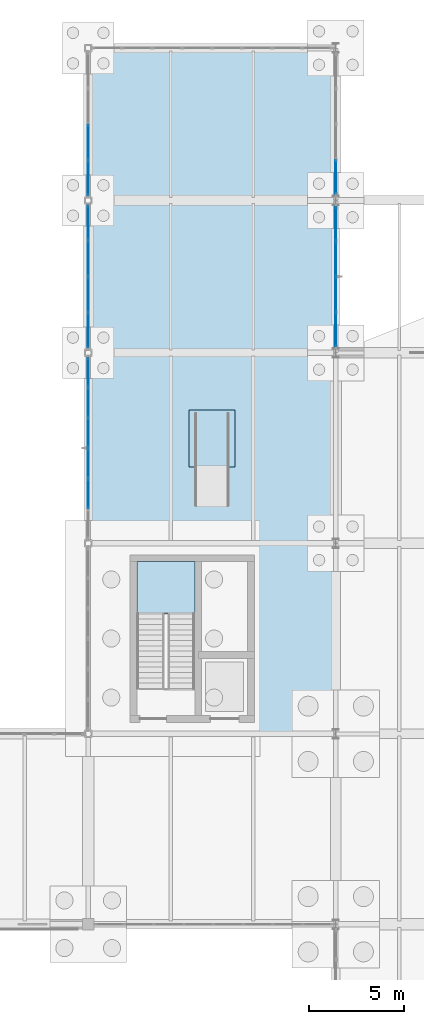
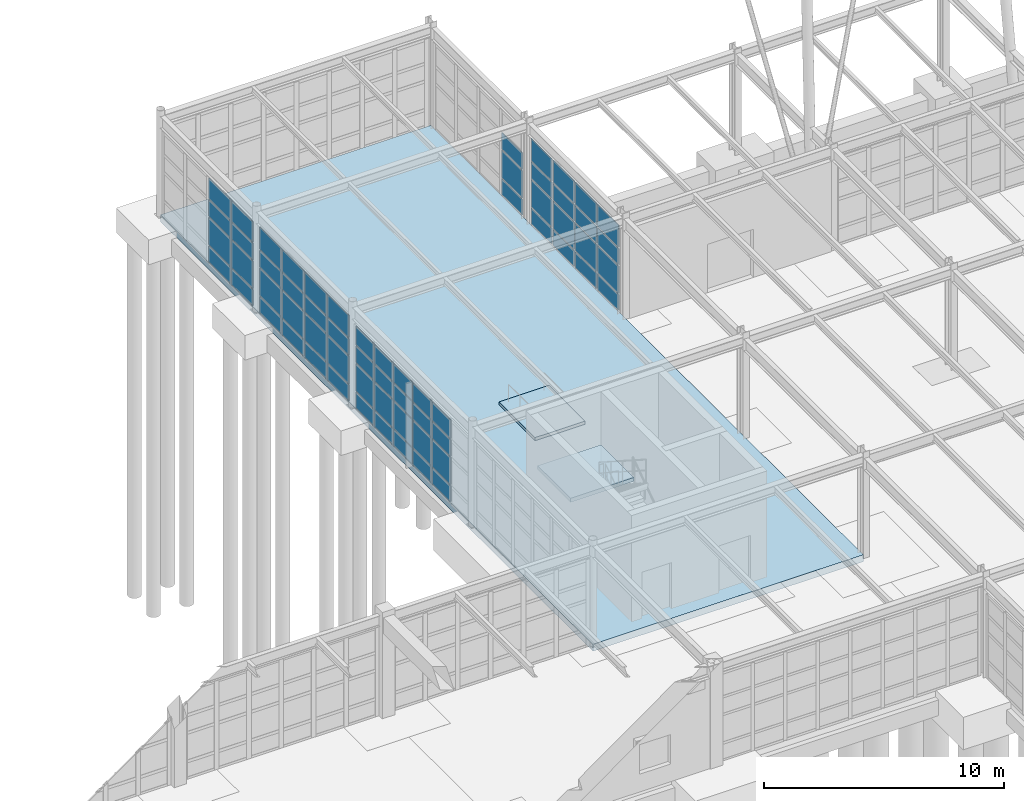
# One storey, part 89 of 145: 63 plates, 3 slabs, 6 elements without a shape of their own.
"""IFC4 building model written with IfcOpenShell, lengths in metres."""

from ifc_helpers import new_model, si_unit, direction, frame, origin, origin_2d, place, context, subcontext, project, spatial, polyline, rectangle, outline, extrude, material, layer, layer_set, type_object, element, aggregate, save


model = new_model("IFC4")

# Units and contexts
model_context = context("Model", 3, precision=1e-05, world=origin(), true_north=direction((0.0, 1.0)))
body_context = subcontext(model_context, "Body", "Model", "MODEL_VIEW")
ifc_project = project(units=[si_unit("LENGTHUNIT", "METRE"), si_unit("AREAUNIT", "SQUARE_METRE"), si_unit("VOLUMEUNIT", "CUBIC_METRE"), si_unit("PLANEANGLEUNIT", "RADIAN"), si_unit("MASSUNIT", "GRAM", prefix="KILO"), si_unit("THERMODYNAMICTEMPERATUREUNIT", "KELVIN"), si_unit("POWERUNIT", "WATT")], contexts=[model_context])

# Site, building, storey
site_placement = place(None, origin())
site = spatial("IfcSite", under=ifc_project, at=site_placement, CompositionType="ELEMENT")
building_placement = place(site_placement, origin())
building = spatial("IfcBuilding", under=site, at=building_placement, Name="Korenveer Ferry Terminal", CompositionType="ELEMENT")
storey_placement = place(building_placement, origin())
storey = spatial("IfcBuildingStorey", under=building, at=storey_placement, Name="L00", CompositionType="ELEMENT", Elevation=0.0)

# Curtain wall, plates
ifc_material_1 = material(Name="Unitised bronze-and-glass curtain wall", Category="glass")
ifc_layer_1 = layer(ifc_material_1, 0.219970703125)
ifc_layer_set_1 = layer_set([ifc_layer_1], Name="Unitised bronze-and-glass curtain wall")
curtain_wall_type_1 = type_object("IfcCurtainWallType", Name="ENV-CW-22", PredefinedType="USERDEFINED", material=ifc_layer_set_1)
curtain_wall_1_placement = place(storey_placement, frame((40.0, 90.207763671875, 0.0)))
curtain_wall_1 = element("IfcCurtainWall", 1, at=curtain_wall_1_placement, inside=storey, type_object=curtain_wall_type_1, Name="Lancet curtain wall CWX-L00-X40-40-Y90-100", ObjectType="UNITISED CURTAIN WALL", PredefinedType="USERDEFINED")
ifc_material_2 = material(Name="Acoustic laminated marine glazing", Category="glass")
ifc_layer_2 = layer(ifc_material_2, 0.035888671875)
ifc_layer_set_2 = layer_set([ifc_layer_2], Name="Acoustic laminated marine glazing")
plate_type = type_object("IfcPlateType", Name="ENV-CWP-GLZ36", PredefinedType="CURTAIN_PANEL", material=ifc_layer_set_2)
plate_1_placement = place(storey_placement, frame((40.0, 92.60400390625, 0.074951171875), z_axis=(0.0, 0.0, 1.0), x_axis=(0.0, 1.0, 0.0)))
plate_1 = element("IfcPlate", 2, at=plate_1_placement, type_object=plate_type, Name="CW-22 panel 2.1", PredefinedType="CURTAIN_PANEL", context=body_context, shape_type="SweptSolid", body=[
    extrude(rectangle(XDim=1.5224609375, YDim=0.035888671875, at=origin_2d()), origin(), (0.0, 0.0, 1.0), 0.78759765625),
])
plate_2_placement = place(storey_placement, frame((40.0, 92.60400390625, 0.9375), z_axis=(0.0, 0.0, 1.0), x_axis=(0.0, 1.0, 0.0)))
plate_2 = element("IfcPlate", 3, at=plate_2_placement, type_object=plate_type, Name="CW-22 panel 2.2", PredefinedType="CURTAIN_PANEL", context=body_context, shape_type="SweptSolid", body=[
    extrude(rectangle(XDim=1.5224609375, YDim=0.035888671875, at=origin_2d()), origin(), (0.0, 0.0, 1.0), 1.375),
])
plate_3_placement = place(storey_placement, frame((40.0, 92.60400390625, 2.3876953125), z_axis=(0.0, 0.0, 1.0), x_axis=(0.0, 1.0, 0.0)))
plate_3 = element("IfcPlate", 4, at=plate_3_placement, type_object=plate_type, Name="CW-22 panel 2.3", PredefinedType="CURTAIN_PANEL", context=body_context, shape_type="SweptSolid", body=[
    extrude(rectangle(XDim=1.5224609375, YDim=0.035888671875, at=origin_2d()), origin(), (0.0, 0.0, 1.0), 0.824951171875),
])
plate_4_placement = place(storey_placement, frame((40.0, 92.60400390625, 3.28759765625), z_axis=(0.0, 0.0, 1.0), x_axis=(0.0, 1.0, 0.0)))
plate_4 = element("IfcPlate", 5, at=plate_4_placement, type_object=plate_type, Name="CW-22 panel 2.4", PredefinedType="CURTAIN_PANEL", context=body_context, shape_type="SweptSolid", body=[
    extrude(rectangle(XDim=1.5224609375, YDim=0.035888671875, at=origin_2d()), origin(), (0.0, 0.0, 1.0), 0.927490234375),
])
plate_5_placement = place(storey_placement, frame((40.0, 94.201416015625, 0.074951171875), z_axis=(0.0, 0.0, 1.0), x_axis=(0.0, 1.0, 0.0)))
plate_5 = element("IfcPlate", 6, at=plate_5_placement, type_object=plate_type, Name="CW-22 panel 3.1", PredefinedType="CURTAIN_PANEL", context=body_context, shape_type="SweptSolid", body=[
    extrude(rectangle(XDim=1.5224609375, YDim=0.035888671875, at=origin_2d()), origin(), (0.0, 0.0, 1.0), 0.78759765625),
])
plate_6_placement = place(storey_placement, frame((40.0, 94.201416015625, 0.9375), z_axis=(0.0, 0.0, 1.0), x_axis=(0.0, 1.0, 0.0)))
plate_6 = element("IfcPlate", 7, at=plate_6_placement, type_object=plate_type, Name="CW-22 panel 3.2", PredefinedType="CURTAIN_PANEL", context=body_context, shape_type="SweptSolid", body=[
    extrude(rectangle(XDim=1.5224609375, YDim=0.035888671875, at=origin_2d()), origin(), (0.0, 0.0, 1.0), 1.375),
])
plate_7_placement = place(storey_placement, frame((40.0, 94.201416015625, 2.3876953125), z_axis=(0.0, 0.0, 1.0), x_axis=(0.0, 1.0, 0.0)))
plate_7 = element("IfcPlate", 8, at=plate_7_placement, type_object=plate_type, Name="CW-22 panel 3.3", PredefinedType="CURTAIN_PANEL", context=body_context, shape_type="SweptSolid", body=[
    extrude(rectangle(XDim=1.5224609375, YDim=0.035888671875, at=origin_2d()), origin(), (0.0, 0.0, 1.0), 0.824951171875),
])
plate_8_placement = place(storey_placement, frame((40.0, 94.201416015625, 3.28759765625), z_axis=(0.0, 0.0, 1.0), x_axis=(0.0, 1.0, 0.0)))
plate_8 = element("IfcPlate", 9, at=plate_8_placement, type_object=plate_type, Name="CW-22 panel 3.4", PredefinedType="CURTAIN_PANEL", context=body_context, shape_type="SweptSolid", body=[
    extrude(rectangle(XDim=1.5224609375, YDim=0.035888671875, at=origin_2d()), origin(), (0.0, 0.0, 1.0), 0.927490234375),
])
plate_9_placement = place(storey_placement, frame((40.0, 95.798583984375, 0.074951171875), z_axis=(0.0, 0.0, 1.0), x_axis=(0.0, 1.0, 0.0)))
plate_9 = element("IfcPlate", 10, at=plate_9_placement, type_object=plate_type, Name="CW-22 panel 4.1", PredefinedType="CURTAIN_PANEL", context=body_context, shape_type="SweptSolid", body=[
    extrude(rectangle(XDim=1.5224609375, YDim=0.035888671875, at=origin_2d()), origin(), (0.0, 0.0, 1.0), 0.78759765625),
])
plate_10_placement = place(storey_placement, frame((40.0, 95.798583984375, 0.9375), z_axis=(0.0, 0.0, 1.0), x_axis=(0.0, 1.0, 0.0)))
plate_10 = element("IfcPlate", 11, at=plate_10_placement, type_object=plate_type, Name="CW-22 panel 4.2", PredefinedType="CURTAIN_PANEL", context=body_context, shape_type="SweptSolid", body=[
    extrude(rectangle(XDim=1.5224609375, YDim=0.035888671875, at=origin_2d()), origin(), (0.0, 0.0, 1.0), 1.375),
])
plate_11_placement = place(storey_placement, frame((40.0, 95.798583984375, 2.3876953125), z_axis=(0.0, 0.0, 1.0), x_axis=(0.0, 1.0, 0.0)))
plate_11 = element("IfcPlate", 12, at=plate_11_placement, type_object=plate_type, Name="CW-22 panel 4.3", PredefinedType="CURTAIN_PANEL", context=body_context, shape_type="SweptSolid", body=[
    extrude(rectangle(XDim=1.5224609375, YDim=0.035888671875, at=origin_2d()), origin(), (0.0, 0.0, 1.0), 0.824951171875),
])
plate_12_placement = place(storey_placement, frame((40.0, 95.798583984375, 3.28759765625), z_axis=(0.0, 0.0, 1.0), x_axis=(0.0, 1.0, 0.0)))
plate_12 = element("IfcPlate", 13, at=plate_12_placement, type_object=plate_type, Name="CW-22 panel 4.4", PredefinedType="CURTAIN_PANEL", context=body_context, shape_type="SweptSolid", body=[
    extrude(rectangle(XDim=1.5224609375, YDim=0.035888671875, at=origin_2d()), origin(), (0.0, 0.0, 1.0), 0.927490234375),
])
plate_13_placement = place(storey_placement, frame((40.0, 97.39599609375, 0.074951171875), z_axis=(0.0, 0.0, 1.0), x_axis=(0.0, 1.0, 0.0)))
plate_13 = element("IfcPlate", 14, at=plate_13_placement, type_object=plate_type, Name="CW-22 panel 5.1", PredefinedType="CURTAIN_PANEL", context=body_context, shape_type="SweptSolid", body=[
    extrude(rectangle(XDim=1.5224609375, YDim=0.035888671875, at=origin_2d()), origin(), (0.0, 0.0, 1.0), 0.78759765625),
])
plate_14_placement = place(storey_placement, frame((40.0, 97.39599609375, 0.9375), z_axis=(0.0, 0.0, 1.0), x_axis=(0.0, 1.0, 0.0)))
plate_14 = element("IfcPlate", 15, at=plate_14_placement, type_object=plate_type, Name="CW-22 panel 5.2", PredefinedType="CURTAIN_PANEL", context=body_context, shape_type="SweptSolid", body=[
    extrude(rectangle(XDim=1.5224609375, YDim=0.035888671875, at=origin_2d()), origin(), (0.0, 0.0, 1.0), 1.375),
])
plate_15_placement = place(storey_placement, frame((40.0, 97.39599609375, 2.3876953125), z_axis=(0.0, 0.0, 1.0), x_axis=(0.0, 1.0, 0.0)))
plate_15 = element("IfcPlate", 16, at=plate_15_placement, type_object=plate_type, Name="CW-22 panel 5.3", PredefinedType="CURTAIN_PANEL", context=body_context, shape_type="SweptSolid", body=[
    extrude(rectangle(XDim=1.5224609375, YDim=0.035888671875, at=origin_2d()), origin(), (0.0, 0.0, 1.0), 0.824951171875),
])
plate_16_placement = place(storey_placement, frame((40.0, 97.39599609375, 3.28759765625), z_axis=(0.0, 0.0, 1.0), x_axis=(0.0, 1.0, 0.0)))
plate_16 = element("IfcPlate", 17, at=plate_16_placement, type_object=plate_type, Name="CW-22 panel 5.4", PredefinedType="CURTAIN_PANEL", context=body_context, shape_type="SweptSolid", body=[
    extrude(rectangle(XDim=1.5224609375, YDim=0.035888671875, at=origin_2d()), origin(), (0.0, 0.0, 1.0), 0.927490234375),
])
plate_17_placement = place(storey_placement, frame((40.0, 98.974853515625, 0.074951171875), z_axis=(0.0, 0.0, 1.0), x_axis=(0.0, 1.0, 0.0)))
plate_17 = element("IfcPlate", 18, at=plate_17_placement, type_object=plate_type, Name="CW-22 panel 6.1", PredefinedType="CURTAIN_PANEL", context=body_context, shape_type="SweptSolid", body=[
    extrude(rectangle(XDim=1.48486328125, YDim=0.035888671875, at=origin_2d()), origin(), (0.0, 0.0, 1.0), 0.78759765625),
])
plate_18_placement = place(storey_placement, frame((40.0, 98.974853515625, 0.9375), z_axis=(0.0, 0.0, 1.0), x_axis=(0.0, 1.0, 0.0)))
plate_18 = element("IfcPlate", 19, at=plate_18_placement, type_object=plate_type, Name="CW-22 panel 6.2", PredefinedType="CURTAIN_PANEL", context=body_context, shape_type="SweptSolid", body=[
    extrude(rectangle(XDim=1.48486328125, YDim=0.035888671875, at=origin_2d()), origin(), (0.0, 0.0, 1.0), 1.375),
])
plate_19_placement = place(storey_placement, frame((40.0, 98.974853515625, 2.3876953125), z_axis=(0.0, 0.0, 1.0), x_axis=(0.0, 1.0, 0.0)))
plate_19 = element("IfcPlate", 20, at=plate_19_placement, type_object=plate_type, Name="CW-22 panel 6.3", PredefinedType="CURTAIN_PANEL", context=body_context, shape_type="SweptSolid", body=[
    extrude(rectangle(XDim=1.48486328125, YDim=0.035888671875, at=origin_2d()), origin(), (0.0, 0.0, 1.0), 0.824951171875),
])
plate_20_placement = place(storey_placement, frame((40.0, 98.974853515625, 3.28759765625), z_axis=(0.0, 0.0, 1.0), x_axis=(0.0, 1.0, 0.0)))
plate_20 = element("IfcPlate", 21, at=plate_20_placement, type_object=plate_type, Name="CW-22 panel 6.4", PredefinedType="CURTAIN_PANEL", context=body_context, shape_type="SweptSolid", body=[
    extrude(rectangle(XDim=1.48486328125, YDim=0.035888671875, at=origin_2d()), origin(), (0.0, 0.0, 1.0), 0.927490234375),
])
aggregate(curtain_wall_1, [plate_1, plate_2, plate_3, plate_4, plate_5, plate_6, plate_7, plate_8, plate_9, plate_10, plate_11, plate_12, plate_13, plate_14, plate_15, plate_16, plate_17, plate_18, plate_19, plate_20])

ifc_layer_3 = layer(ifc_material_1, 0.219970703125)
ifc_layer_set_3 = layer_set([ifc_layer_3], Name="Unitised bronze-and-glass curtain wall")
curtain_wall_type_2 = type_object("IfcCurtainWallType", Name="ENV-CW-23", PredefinedType="USERDEFINED", material=ifc_layer_set_3)
curtain_wall_2_placement = place(storey_placement, frame((40.0, 100.207763671875, 0.0)))
curtain_wall_2 = element("IfcCurtainWall", 22, at=curtain_wall_2_placement, inside=storey, type_object=curtain_wall_type_2, Name="Lancet curtain wall CWX-L00-X40-40-Y100-108", ObjectType="UNITISED CURTAIN WALL", PredefinedType="USERDEFINED")
plate_21_placement = place(storey_placement, frame((40.0, 101.174560546875, 0.074951171875), z_axis=(0.0, 0.0, 1.0), x_axis=(0.0, 1.0, 0.0)))
plate_21 = element("IfcPlate", 23, at=plate_21_placement, type_object=plate_type, Name="CW-23 panel 1.1", PredefinedType="CURTAIN_PANEL", context=body_context, shape_type="SweptSolid", body=[
    extrude(rectangle(XDim=1.78369140625, YDim=0.035888671875, at=origin_2d()), origin(), (0.0, 0.0, 1.0), 0.78759765625),
])
plate_22_placement = place(storey_placement, frame((40.0, 101.174560546875, 0.9375), z_axis=(0.0, 0.0, 1.0), x_axis=(0.0, 1.0, 0.0)))
plate_22 = element("IfcPlate", 24, at=plate_22_placement, type_object=plate_type, Name="CW-23 panel 1.2", PredefinedType="CURTAIN_PANEL", context=body_context, shape_type="SweptSolid", body=[
    extrude(rectangle(XDim=1.78369140625, YDim=0.035888671875, at=origin_2d()), origin(), (0.0, 0.0, 1.0), 1.375),
])
plate_23_placement = place(storey_placement, frame((40.0, 101.174560546875, 2.3876953125), z_axis=(0.0, 0.0, 1.0), x_axis=(0.0, 1.0, 0.0)))
plate_23 = element("IfcPlate", 25, at=plate_23_placement, type_object=plate_type, Name="CW-23 panel 1.3", PredefinedType="CURTAIN_PANEL", context=body_context, shape_type="SweptSolid", body=[
    extrude(rectangle(XDim=1.78369140625, YDim=0.035888671875, at=origin_2d()), origin(), (0.0, 0.0, 1.0), 0.824951171875),
])
plate_24_placement = place(storey_placement, frame((40.0, 101.174560546875, 3.28759765625), z_axis=(0.0, 0.0, 1.0), x_axis=(0.0, 1.0, 0.0)))
plate_24 = element("IfcPlate", 26, at=plate_24_placement, type_object=plate_type, Name="CW-23 panel 1.4", PredefinedType="CURTAIN_PANEL", context=body_context, shape_type="SweptSolid", body=[
    extrude(rectangle(XDim=1.78369140625, YDim=0.035888671875, at=origin_2d()), origin(), (0.0, 0.0, 1.0), 1.12744140625),
])
plate_25_placement = place(storey_placement, frame((40.0, 103.052001953125, 0.074951171875), z_axis=(0.0, 0.0, 1.0), x_axis=(0.0, 1.0, 0.0)))
plate_25 = element("IfcPlate", 27, at=plate_25_placement, type_object=plate_type, Name="CW-23 panel 2.1", PredefinedType="CURTAIN_PANEL", context=body_context, shape_type="SweptSolid", body=[
    extrude(rectangle(XDim=1.821044921875, YDim=0.035888671875, at=origin_2d()), origin(), (0.0, 0.0, 1.0), 0.78759765625),
])
plate_26_placement = place(storey_placement, frame((40.0, 103.052001953125, 0.9375), z_axis=(0.0, 0.0, 1.0), x_axis=(0.0, 1.0, 0.0)))
plate_26 = element("IfcPlate", 28, at=plate_26_placement, type_object=plate_type, Name="CW-23 panel 2.2", PredefinedType="CURTAIN_PANEL", context=body_context, shape_type="SweptSolid", body=[
    extrude(rectangle(XDim=1.821044921875, YDim=0.035888671875, at=origin_2d()), origin(), (0.0, 0.0, 1.0), 1.375),
])
plate_27_placement = place(storey_placement, frame((40.0, 103.052001953125, 2.3876953125), z_axis=(0.0, 0.0, 1.0), x_axis=(0.0, 1.0, 0.0)))
plate_27 = element("IfcPlate", 29, at=plate_27_placement, type_object=plate_type, Name="CW-23 panel 2.3", PredefinedType="CURTAIN_PANEL", context=body_context, shape_type="SweptSolid", body=[
    extrude(rectangle(XDim=1.821044921875, YDim=0.035888671875, at=origin_2d()), origin(), (0.0, 0.0, 1.0), 0.824951171875),
])
plate_28_placement = place(storey_placement, frame((40.0, 103.052001953125, 3.28759765625), z_axis=(0.0, 0.0, 1.0), x_axis=(0.0, 1.0, 0.0)))
plate_28 = element("IfcPlate", 30, at=plate_28_placement, type_object=plate_type, Name="CW-23 panel 2.4", PredefinedType="CURTAIN_PANEL", context=body_context, shape_type="SweptSolid", body=[
    extrude(rectangle(XDim=1.821044921875, YDim=0.035888671875, at=origin_2d()), origin(), (0.0, 0.0, 1.0), 1.12744140625),
])
plate_29_placement = place(storey_placement, frame((40.0, 104.947998046875, 0.074951171875), z_axis=(0.0, 0.0, 1.0), x_axis=(0.0, 1.0, 0.0)))
plate_29 = element("IfcPlate", 31, at=plate_29_placement, type_object=plate_type, Name="CW-23 panel 3.1", PredefinedType="CURTAIN_PANEL", context=body_context, shape_type="SweptSolid", body=[
    extrude(rectangle(XDim=1.821044921875, YDim=0.035888671875, at=origin_2d()), origin(), (0.0, 0.0, 1.0), 0.78759765625),
])
plate_30_placement = place(storey_placement, frame((40.0, 104.947998046875, 0.9375), z_axis=(0.0, 0.0, 1.0), x_axis=(0.0, 1.0, 0.0)))
plate_30 = element("IfcPlate", 32, at=plate_30_placement, type_object=plate_type, Name="CW-23 panel 3.2", PredefinedType="CURTAIN_PANEL", context=body_context, shape_type="SweptSolid", body=[
    extrude(rectangle(XDim=1.821044921875, YDim=0.035888671875, at=origin_2d()), origin(), (0.0, 0.0, 1.0), 1.375),
])
plate_31_placement = place(storey_placement, frame((40.0, 104.947998046875, 2.3876953125), z_axis=(0.0, 0.0, 1.0), x_axis=(0.0, 1.0, 0.0)))
plate_31 = element("IfcPlate", 33, at=plate_31_placement, type_object=plate_type, Name="CW-23 panel 3.3", PredefinedType="CURTAIN_PANEL", context=body_context, shape_type="SweptSolid", body=[
    extrude(rectangle(XDim=1.821044921875, YDim=0.035888671875, at=origin_2d()), origin(), (0.0, 0.0, 1.0), 0.824951171875),
])
plate_32_placement = place(storey_placement, frame((40.0, 104.947998046875, 3.28759765625), z_axis=(0.0, 0.0, 1.0), x_axis=(0.0, 1.0, 0.0)))
plate_32 = element("IfcPlate", 34, at=plate_32_placement, type_object=plate_type, Name="CW-23 panel 3.4", PredefinedType="CURTAIN_PANEL", context=body_context, shape_type="SweptSolid", body=[
    extrude(rectangle(XDim=1.821044921875, YDim=0.035888671875, at=origin_2d()), origin(), (0.0, 0.0, 1.0), 1.12744140625),
])
plate_33_placement = place(storey_placement, frame((40.0, 106.825439453125, 0.074951171875), z_axis=(0.0, 0.0, 1.0), x_axis=(0.0, 1.0, 0.0)))
plate_33 = element("IfcPlate", 35, at=plate_33_placement, type_object=plate_type, Name="CW-23 panel 4.1", PredefinedType="CURTAIN_PANEL", context=body_context, shape_type="SweptSolid", body=[
    extrude(rectangle(XDim=1.78369140625, YDim=0.035888671875, at=origin_2d()), origin(), (0.0, 0.0, 1.0), 0.78759765625),
])
plate_34_placement = place(storey_placement, frame((40.0, 106.825439453125, 0.9375), z_axis=(0.0, 0.0, 1.0), x_axis=(0.0, 1.0, 0.0)))
plate_34 = element("IfcPlate", 36, at=plate_34_placement, type_object=plate_type, Name="CW-23 panel 4.2", PredefinedType="CURTAIN_PANEL", context=body_context, shape_type="SweptSolid", body=[
    extrude(rectangle(XDim=1.78369140625, YDim=0.035888671875, at=origin_2d()), origin(), (0.0, 0.0, 1.0), 1.375),
])
plate_35_placement = place(storey_placement, frame((40.0, 106.825439453125, 2.3876953125), z_axis=(0.0, 0.0, 1.0), x_axis=(0.0, 1.0, 0.0)))
plate_35 = element("IfcPlate", 37, at=plate_35_placement, type_object=plate_type, Name="CW-23 panel 4.3", PredefinedType="CURTAIN_PANEL", context=body_context, shape_type="SweptSolid", body=[
    extrude(rectangle(XDim=1.78369140625, YDim=0.035888671875, at=origin_2d()), origin(), (0.0, 0.0, 1.0), 0.824951171875),
])
plate_36_placement = place(storey_placement, frame((40.0, 106.825439453125, 3.28759765625), z_axis=(0.0, 0.0, 1.0), x_axis=(0.0, 1.0, 0.0)))
plate_36 = element("IfcPlate", 38, at=plate_36_placement, type_object=plate_type, Name="CW-23 panel 4.4", PredefinedType="CURTAIN_PANEL", context=body_context, shape_type="SweptSolid", body=[
    extrude(rectangle(XDim=1.78369140625, YDim=0.035888671875, at=origin_2d()), origin(), (0.0, 0.0, 1.0), 1.12744140625),
])
aggregate(curtain_wall_2, [plate_21, plate_22, plate_23, plate_24, plate_25, plate_26, plate_27, plate_28, plate_29, plate_30, plate_31, plate_32, plate_33, plate_34, plate_35, plate_36])

ifc_layer_4 = layer(ifc_material_1, 0.219970703125)
ifc_layer_set_4 = layer_set([ifc_layer_4], Name="Unitised bronze-and-glass curtain wall")
curtain_wall_type_3 = type_object("IfcCurtainWallType", Name="ENV-CW-24", PredefinedType="USERDEFINED", material=ifc_layer_set_4)
curtain_wall_3_placement = place(storey_placement, frame((40.0, 108.207763671875, 0.0)))
curtain_wall_3 = element("IfcCurtainWall", 39, at=curtain_wall_3_placement, inside=storey, type_object=curtain_wall_type_3, Name="Lancet curtain wall CWX-L00-X40-40-Y108-116", ObjectType="UNITISED CURTAIN WALL", PredefinedType="USERDEFINED")
plate_37_placement = place(storey_placement, frame((40.0, 109.174560546875, 0.074951171875), z_axis=(0.0, 0.0, 1.0), x_axis=(0.0, 1.0, 0.0)))
plate_37 = element("IfcPlate", 40, at=plate_37_placement, type_object=plate_type, Name="CW-24 panel 1.1", PredefinedType="CURTAIN_PANEL", context=body_context, shape_type="SweptSolid", body=[
    extrude(rectangle(XDim=1.78369140625, YDim=0.035888671875, at=origin_2d()), origin(), (0.0, 0.0, 1.0), 0.78759765625),
])
plate_38_placement = place(storey_placement, frame((40.0, 109.174560546875, 0.9375), z_axis=(0.0, 0.0, 1.0), x_axis=(0.0, 1.0, 0.0)))
plate_38 = element("IfcPlate", 41, at=plate_38_placement, type_object=plate_type, Name="CW-24 panel 1.2", PredefinedType="CURTAIN_PANEL", context=body_context, shape_type="SweptSolid", body=[
    extrude(rectangle(XDim=1.78369140625, YDim=0.035888671875, at=origin_2d()), origin(), (0.0, 0.0, 1.0), 1.375),
])
plate_39_placement = place(storey_placement, frame((40.0, 109.174560546875, 2.3876953125), z_axis=(0.0, 0.0, 1.0), x_axis=(0.0, 1.0, 0.0)))
plate_39 = element("IfcPlate", 42, at=plate_39_placement, type_object=plate_type, Name="CW-24 panel 1.3", PredefinedType="CURTAIN_PANEL", context=body_context, shape_type="SweptSolid", body=[
    extrude(rectangle(XDim=1.78369140625, YDim=0.035888671875, at=origin_2d()), origin(), (0.0, 0.0, 1.0), 0.824951171875),
])
plate_40_placement = place(storey_placement, frame((40.0, 109.174560546875, 3.28759765625), z_axis=(0.0, 0.0, 1.0), x_axis=(0.0, 1.0, 0.0)))
plate_40 = element("IfcPlate", 43, at=plate_40_placement, type_object=plate_type, Name="CW-24 panel 1.4", PredefinedType="CURTAIN_PANEL", context=body_context, shape_type="SweptSolid", body=[
    extrude(rectangle(XDim=1.78369140625, YDim=0.035888671875, at=origin_2d()), origin(), (0.0, 0.0, 1.0), 1.027587890625),
])
plate_41_placement = place(storey_placement, frame((40.0, 111.052001953125, 0.074951171875), z_axis=(0.0, 0.0, 1.0), x_axis=(0.0, 1.0, 0.0)))
plate_41 = element("IfcPlate", 44, at=plate_41_placement, type_object=plate_type, Name="CW-24 panel 2.1", PredefinedType="CURTAIN_PANEL", context=body_context, shape_type="SweptSolid", body=[
    extrude(rectangle(XDim=1.821044921875, YDim=0.035888671875, at=origin_2d()), origin(), (0.0, 0.0, 1.0), 0.78759765625),
])
plate_42_placement = place(storey_placement, frame((40.0, 111.052001953125, 0.9375), z_axis=(0.0, 0.0, 1.0), x_axis=(0.0, 1.0, 0.0)))
plate_42 = element("IfcPlate", 45, at=plate_42_placement, type_object=plate_type, Name="CW-24 panel 2.2", PredefinedType="CURTAIN_PANEL", context=body_context, shape_type="SweptSolid", body=[
    extrude(rectangle(XDim=1.821044921875, YDim=0.035888671875, at=origin_2d()), origin(), (0.0, 0.0, 1.0), 1.375),
])
plate_43_placement = place(storey_placement, frame((40.0, 111.052001953125, 2.3876953125), z_axis=(0.0, 0.0, 1.0), x_axis=(0.0, 1.0, 0.0)))
plate_43 = element("IfcPlate", 46, at=plate_43_placement, type_object=plate_type, Name="CW-24 panel 2.3", PredefinedType="CURTAIN_PANEL", context=body_context, shape_type="SweptSolid", body=[
    extrude(rectangle(XDim=1.821044921875, YDim=0.035888671875, at=origin_2d()), origin(), (0.0, 0.0, 1.0), 0.824951171875),
])
plate_44_placement = place(storey_placement, frame((40.0, 111.052001953125, 3.28759765625), z_axis=(0.0, 0.0, 1.0), x_axis=(0.0, 1.0, 0.0)))
plate_44 = element("IfcPlate", 47, at=plate_44_placement, type_object=plate_type, Name="CW-24 panel 2.4", PredefinedType="CURTAIN_PANEL", context=body_context, shape_type="SweptSolid", body=[
    extrude(rectangle(XDim=1.821044921875, YDim=0.035888671875, at=origin_2d()), origin(), (0.0, 0.0, 1.0), 1.027587890625),
])
aggregate(curtain_wall_3, [plate_37, plate_38, plate_39, plate_40, plate_41, plate_42, plate_43, plate_44])

ifc_layer_5 = layer(ifc_material_1, 0.219970703125)
ifc_layer_set_5 = layer_set([ifc_layer_5], Name="Unitised bronze-and-glass curtain wall")
curtain_wall_type_4 = type_object("IfcCurtainWallType", Name="ENV-CW-28", PredefinedType="USERDEFINED", material=ifc_layer_set_5)
curtain_wall_4_placement = place(storey_placement, frame((53.0, 107.719970703125, 0.0)))
curtain_wall_4 = element("IfcCurtainWall", 48, at=curtain_wall_4_placement, inside=storey, type_object=curtain_wall_type_4, Name="Lancet curtain wall CWX-L00-X53-53-Y100-108", ObjectType="UNITISED CURTAIN WALL", PredefinedType="USERDEFINED")
plate_45_placement = place(storey_placement, frame((53.0, 106.771240234375, 0.074951171875), z_axis=(0.0, 0.0, 1.0), x_axis=(0.0, -1.0, 0.0)))
plate_45 = element("IfcPlate", 49, at=plate_45_placement, type_object=plate_type, Name="CW-28 panel 1.1", PredefinedType="CURTAIN_PANEL", context=body_context, shape_type="SweptSolid", body=[
    extrude(rectangle(XDim=1.74755859375, YDim=0.035888671875, at=origin_2d()), origin(), (0.0, 0.0, 1.0), 0.78759765625),
])
plate_46_placement = place(storey_placement, frame((53.0, 106.771240234375, 0.9375), z_axis=(0.0, 0.0, 1.0), x_axis=(0.0, -1.0, 0.0)))
plate_46 = element("IfcPlate", 50, at=plate_46_placement, type_object=plate_type, Name="CW-28 panel 1.2", PredefinedType="CURTAIN_PANEL", context=body_context, shape_type="SweptSolid", body=[
    extrude(rectangle(XDim=1.74755859375, YDim=0.035888671875, at=origin_2d()), origin(), (0.0, 0.0, 1.0), 1.375),
])
plate_47_placement = place(storey_placement, frame((53.0, 106.771240234375, 2.3876953125), z_axis=(0.0, 0.0, 1.0), x_axis=(0.0, -1.0, 0.0)))
plate_47 = element("IfcPlate", 51, at=plate_47_placement, type_object=plate_type, Name="CW-28 panel 1.3", PredefinedType="CURTAIN_PANEL", context=body_context, shape_type="SweptSolid", body=[
    extrude(rectangle(XDim=1.74755859375, YDim=0.035888671875, at=origin_2d()), origin(), (0.0, 0.0, 1.0), 0.824951171875),
])
plate_48_placement = place(storey_placement, frame((53.0, 106.771240234375, 3.28759765625), z_axis=(0.0, 0.0, 1.0), x_axis=(0.0, -1.0, 0.0)))
plate_48 = element("IfcPlate", 52, at=plate_48_placement, type_object=plate_type, Name="CW-28 panel 1.4", PredefinedType="CURTAIN_PANEL", context=body_context, shape_type="SweptSolid", body=[
    extrude(rectangle(XDim=1.74755859375, YDim=0.035888671875, at=origin_2d()), origin(), (0.0, 0.0, 1.0), 1.12744140625),
])
plate_49_placement = place(storey_placement, frame((53.0, 104.929931640625, 0.074951171875), z_axis=(0.0, 0.0, 1.0), x_axis=(0.0, -1.0, 0.0)))
plate_49 = element("IfcPlate", 53, at=plate_49_placement, type_object=plate_type, Name="CW-28 panel 2.1", PredefinedType="CURTAIN_PANEL", context=body_context, shape_type="SweptSolid", body=[
    extrude(rectangle(XDim=1.784912109375, YDim=0.035888671875, at=origin_2d()), origin(), (0.0, 0.0, 1.0), 0.78759765625),
])
plate_50_placement = place(storey_placement, frame((53.0, 104.929931640625, 0.9375), z_axis=(0.0, 0.0, 1.0), x_axis=(0.0, -1.0, 0.0)))
plate_50 = element("IfcPlate", 54, at=plate_50_placement, type_object=plate_type, Name="CW-28 panel 2.2", PredefinedType="CURTAIN_PANEL", context=body_context, shape_type="SweptSolid", body=[
    extrude(rectangle(XDim=1.784912109375, YDim=0.035888671875, at=origin_2d()), origin(), (0.0, 0.0, 1.0), 1.375),
])
plate_51_placement = place(storey_placement, frame((53.0, 104.929931640625, 2.3876953125), z_axis=(0.0, 0.0, 1.0), x_axis=(0.0, -1.0, 0.0)))
plate_51 = element("IfcPlate", 55, at=plate_51_placement, type_object=plate_type, Name="CW-28 panel 2.3", PredefinedType="CURTAIN_PANEL", context=body_context, shape_type="SweptSolid", body=[
    extrude(rectangle(XDim=1.784912109375, YDim=0.035888671875, at=origin_2d()), origin(), (0.0, 0.0, 1.0), 0.824951171875),
])
plate_52_placement = place(storey_placement, frame((53.0, 104.929931640625, 3.28759765625), z_axis=(0.0, 0.0, 1.0), x_axis=(0.0, -1.0, 0.0)))
plate_52 = element("IfcPlate", 56, at=plate_52_placement, type_object=plate_type, Name="CW-28 panel 2.4", PredefinedType="CURTAIN_PANEL", context=body_context, shape_type="SweptSolid", body=[
    extrude(rectangle(XDim=1.784912109375, YDim=0.035888671875, at=origin_2d()), origin(), (0.0, 0.0, 1.0), 1.12744140625),
])
plate_53_placement = place(storey_placement, frame((53.0, 103.070068359375, 0.074951171875), z_axis=(0.0, 0.0, 1.0), x_axis=(0.0, -1.0, 0.0)))
plate_53 = element("IfcPlate", 57, at=plate_53_placement, type_object=plate_type, Name="CW-28 panel 3.1", PredefinedType="CURTAIN_PANEL", context=body_context, shape_type="SweptSolid", body=[
    extrude(rectangle(XDim=1.784912109375, YDim=0.035888671875, at=origin_2d()), origin(), (0.0, 0.0, 1.0), 0.78759765625),
])
plate_54_placement = place(storey_placement, frame((53.0, 103.070068359375, 0.9375), z_axis=(0.0, 0.0, 1.0), x_axis=(0.0, -1.0, 0.0)))
plate_54 = element("IfcPlate", 58, at=plate_54_placement, type_object=plate_type, Name="CW-28 panel 3.2", PredefinedType="CURTAIN_PANEL", context=body_context, shape_type="SweptSolid", body=[
    extrude(rectangle(XDim=1.784912109375, YDim=0.035888671875, at=origin_2d()), origin(), (0.0, 0.0, 1.0), 1.375),
])
plate_55_placement = place(storey_placement, frame((53.0, 103.070068359375, 2.3876953125), z_axis=(0.0, 0.0, 1.0), x_axis=(0.0, -1.0, 0.0)))
plate_55 = element("IfcPlate", 59, at=plate_55_placement, type_object=plate_type, Name="CW-28 panel 3.3", PredefinedType="CURTAIN_PANEL", context=body_context, shape_type="SweptSolid", body=[
    extrude(rectangle(XDim=1.784912109375, YDim=0.035888671875, at=origin_2d()), origin(), (0.0, 0.0, 1.0), 0.824951171875),
])
plate_56_placement = place(storey_placement, frame((53.0, 103.070068359375, 3.28759765625), z_axis=(0.0, 0.0, 1.0), x_axis=(0.0, -1.0, 0.0)))
plate_56 = element("IfcPlate", 60, at=plate_56_placement, type_object=plate_type, Name="CW-28 panel 3.4", PredefinedType="CURTAIN_PANEL", context=body_context, shape_type="SweptSolid", body=[
    extrude(rectangle(XDim=1.784912109375, YDim=0.035888671875, at=origin_2d()), origin(), (0.0, 0.0, 1.0), 1.12744140625),
])
plate_57_placement = place(storey_placement, frame((53.0, 101.228759765625, 0.074951171875), z_axis=(0.0, 0.0, 1.0), x_axis=(0.0, -1.0, 0.0)))
plate_57 = element("IfcPlate", 61, at=plate_57_placement, type_object=plate_type, Name="CW-28 panel 4.1", PredefinedType="CURTAIN_PANEL", context=body_context, shape_type="SweptSolid", body=[
    extrude(rectangle(XDim=1.74755859375, YDim=0.035888671875, at=origin_2d()), origin(), (0.0, 0.0, 1.0), 0.78759765625),
])
plate_58_placement = place(storey_placement, frame((53.0, 101.228759765625, 0.9375), z_axis=(0.0, 0.0, 1.0), x_axis=(0.0, -1.0, 0.0)))
plate_58 = element("IfcPlate", 62, at=plate_58_placement, type_object=plate_type, Name="CW-28 panel 4.2", PredefinedType="CURTAIN_PANEL", context=body_context, shape_type="SweptSolid", body=[
    extrude(rectangle(XDim=1.74755859375, YDim=0.035888671875, at=origin_2d()), origin(), (0.0, 0.0, 1.0), 1.375),
])
plate_59_placement = place(storey_placement, frame((53.0, 101.228759765625, 2.3876953125), z_axis=(0.0, 0.0, 1.0), x_axis=(0.0, -1.0, 0.0)))
plate_59 = element("IfcPlate", 63, at=plate_59_placement, type_object=plate_type, Name="CW-28 panel 4.3", PredefinedType="CURTAIN_PANEL", context=body_context, shape_type="SweptSolid", body=[
    extrude(rectangle(XDim=1.74755859375, YDim=0.035888671875, at=origin_2d()), origin(), (0.0, 0.0, 1.0), 0.824951171875),
])
plate_60_placement = place(storey_placement, frame((53.0, 101.228759765625, 3.28759765625), z_axis=(0.0, 0.0, 1.0), x_axis=(0.0, -1.0, 0.0)))
plate_60 = element("IfcPlate", 64, at=plate_60_placement, type_object=plate_type, Name="CW-28 panel 4.4", PredefinedType="CURTAIN_PANEL", context=body_context, shape_type="SweptSolid", body=[
    extrude(rectangle(XDim=1.74755859375, YDim=0.035888671875, at=origin_2d()), origin(), (0.0, 0.0, 1.0), 1.12744140625),
])
aggregate(curtain_wall_4, [plate_45, plate_46, plate_47, plate_48, plate_49, plate_50, plate_51, plate_52, plate_53, plate_54, plate_55, plate_56, plate_57, plate_58, plate_59, plate_60])

ifc_layer_6 = layer(ifc_material_1, 0.219970703125)
ifc_layer_set_6 = layer_set([ifc_layer_6], Name="Unitised bronze-and-glass curtain wall")
curtain_wall_type_5 = type_object("IfcCurtainWallType", Name="ENV-CW-29", PredefinedType="USERDEFINED", material=ifc_layer_set_6)
curtain_wall_5_placement = place(storey_placement, frame((53.0, 115.719970703125, 0.0)))
curtain_wall_5 = element("IfcCurtainWall", 65, at=curtain_wall_5_placement, inside=storey, type_object=curtain_wall_type_5, Name="Lancet curtain wall CWX-L00-X53-53-Y108-116", ObjectType="UNITISED CURTAIN WALL", PredefinedType="USERDEFINED")
plate_61_placement = place(storey_placement, frame((53.0, 109.228759765625, 0.074951171875), z_axis=(0.0, 0.0, 1.0), x_axis=(0.0, -1.0, 0.0)))
plate_61 = element("IfcPlate", 66, at=plate_61_placement, type_object=plate_type, Name="CW-29 panel 4.1", PredefinedType="CURTAIN_PANEL", context=body_context, shape_type="SweptSolid", body=[
    extrude(rectangle(XDim=1.74755859375, YDim=0.035888671875, at=origin_2d()), origin(), (0.0, 0.0, 1.0), 0.78759765625),
])
plate_62_placement = place(storey_placement, frame((53.0, 109.228759765625, 0.9375), z_axis=(0.0, 0.0, 1.0), x_axis=(0.0, -1.0, 0.0)))
plate_62 = element("IfcPlate", 67, at=plate_62_placement, type_object=plate_type, Name="CW-29 panel 4.2", PredefinedType="CURTAIN_PANEL", context=body_context, shape_type="SweptSolid", body=[
    extrude(rectangle(XDim=1.74755859375, YDim=0.035888671875, at=origin_2d()), origin(), (0.0, 0.0, 1.0), 1.375),
])
plate_63_placement = place(storey_placement, frame((53.0, 109.228759765625, 2.3876953125), z_axis=(0.0, 0.0, 1.0), x_axis=(0.0, -1.0, 0.0)))
plate_63 = element("IfcPlate", 68, at=plate_63_placement, type_object=plate_type, Name="CW-29 panel 4.3", PredefinedType="CURTAIN_PANEL", context=body_context, shape_type="SweptSolid", body=[
    extrude(rectangle(XDim=1.74755859375, YDim=0.035888671875, at=origin_2d()), origin(), (0.0, 0.0, 1.0), 0.824951171875),
])
aggregate(curtain_wall_5, [plate_61, plate_62, plate_63])

# Stair, slab
ifc_material_3 = material(Name="Concrete C40/50", Category="concrete")
stair_type = type_object("IfcStairType", Name="INT-ST-07", PredefinedType="HALF_TURN_STAIR", material=ifc_material_3)
stair_placement = place(storey_placement, frame((44.889892578125, 82.3798828125, 0.0)))
stair = element("IfcStair", 69, at=stair_placement, inside=storey, type_object=stair_type, Name="L00 West Berth Pier Core K7", PredefinedType="HALF_TURN_STAIR")
ifc_layer_7 = layer(ifc_material_3, 0.199951171875)
ifc_layer_set_7 = layer_set([ifc_layer_7], Name="Concrete C40/50")
slab_type_1 = type_object("IfcSlabType", Name="INT-SL-LAND200", PredefinedType="LANDING", material=ifc_layer_set_7)
slab_1_placement = place(storey_placement, frame((0.0, 0.0, 2.5)))
slab_1 = element("IfcSlab", 70, at=slab_1_placement, type_object=slab_type_1, Name="ST07 landing 1", PredefinedType="LANDING", context=body_context, shape_type="SweptSolid", body=[
    extrude(outline(polyline([(45.60009765625, 86.300048828125), (45.60009765625, 89.0400390625), (42.56005859375, 89.0400390625), (42.56005859375, 86.300048828125), (45.60009765625, 86.300048828125)])), origin(), (0.0, 0.0, 1.0), 0.199951171875),
])
aggregate(stair, [slab_1])

# Slabs
ifc_layer_8 = layer(ifc_material_3, 0.35009765625)
ifc_layer_set_8 = layer_set([ifc_layer_8], Name="Concrete C40/50")
slab_type_2 = type_object("IfcSlabType", Name="STR-SL-BASE350", PredefinedType="BASESLAB", material=ifc_layer_set_8)
slab_2_placement = place(storey_placement, frame((0.0, 0.0, -0.35009765625)))
element("IfcSlab", 71, at=slab_2_placement, inside=storey, type_object=slab_type_2, Name="Floor slab SL-L00-PW2", PredefinedType="BASESLAB", context=body_context, shape_type="SweptSolid", body=[
    extrude(outline(polyline([(40.0, 80.0), (53.0, 80.0), (53.0, 116.0), (40.0, 116.0), (40.0, 80.0)])), origin(), (0.0, 0.0, 1.0), 0.35009765625),
])
ifc_material_4 = material(Name="Concrete C35/45", Category="concrete")
ifc_layer_9 = layer(ifc_material_4, 0.159912109375)
ifc_layer_set_9 = layer_set([ifc_layer_9], Name="Concrete C35/45")
slab_type_3 = type_object("IfcSlabType", Name="STR-SL-WING160", PredefinedType="ROOF", material=ifc_layer_set_9)
slab_3_placement = place(storey_placement, origin())
element("IfcSlab", 72, at=slab_3_placement, inside=storey, type_object=slab_type_3, Name="West Mooring Threshold Ramp boarding plinth", PredefinedType="ROOF", context=body_context, shape_type="SweptSolid", body=[
    extrude(outline(polyline([(45.300048828125, 94.0), (47.699951171875, 94.0), (47.699951171875, 97.0), (45.300048828125, 97.0), (45.300048828125, 94.0)])), origin(), (0.0, 0.0, 1.0), 0.159912109375),
])

save(model, "model.ifc")
